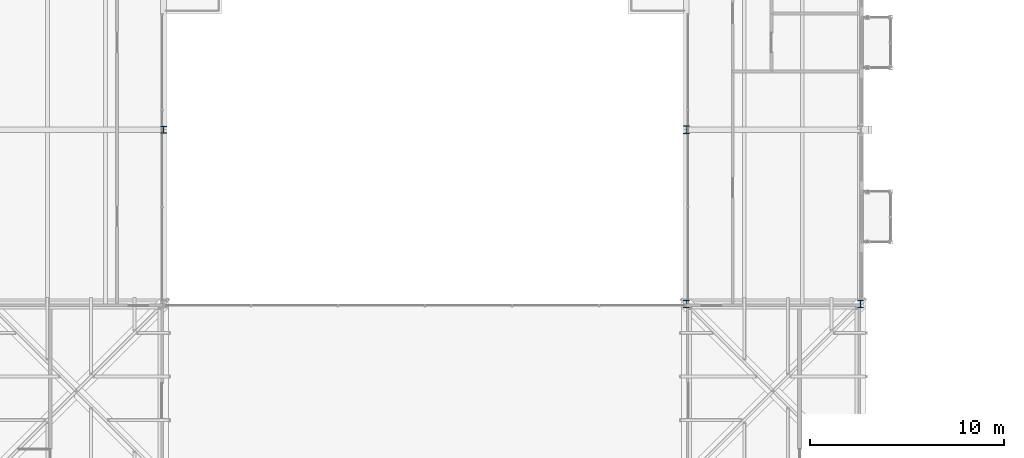
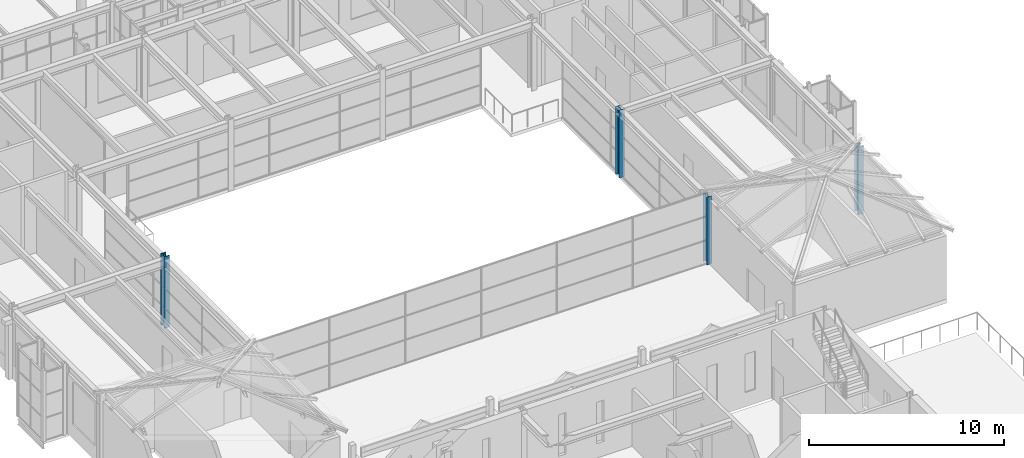
# One storey, part 4 of 149: 4 columns.
"""IFC4 building model written with IfcOpenShell, lengths in metres."""

import ifcopenshell
import ifcopenshell.guid

model = None  # the IFC model being written
_history = None  # IfcOwnerHistory: only IFC2X3 demands one
_inside = {}  # id of a spatial element -> (the spatial element, [elements in it])
_under = {}  # id of a project, library or spatial element -> (it, [spatial elements below it])
_declared = {}  # id of a project -> (the project, [libraries it declares])
_typed = {}  # id of a type object -> (the type object, [elements of that type])
_made_of = {}  # id of a material, layer set ... -> (it, [elements and type objects made of it])


def new_model(schema):
    """Start an empty IFC model of exactly this schema.

    Asked for "IFC4X3", IfcOpenShell would pick the latest addendum, in which some entities
    have other attributes; the version numbers below select the first issue.
    IFC2X3 requires an IfcOwnerHistory on every rooted entity: one is made here for all.
    """
    global model, _history
    if schema == "IFC4X3":
        model = ifcopenshell.file(schema_version=(4, 3, 0, 0))
    else:
        model = ifcopenshell.file(schema=schema)
    _inside.clear()
    _under.clear()
    _declared.clear()
    _typed.clear()
    _made_of.clear()
    _history = None
    if model.schema == "IFC2X3":
        org = make("IfcOrganization", Name="unknown")
        user = make(
            "IfcPersonAndOrganization",
            ThePerson=make("IfcPerson", FamilyName="unknown"),
            TheOrganization=org,
        )
        app = make(
            "IfcApplication",
            ApplicationDeveloper=org,
            Version="unknown",
            ApplicationFullName="unknown",
            ApplicationIdentifier="unknown",
        )
        _history = make(
            "IfcOwnerHistory",
            OwningUser=user,
            OwningApplication=app,
            ChangeAction="ADDED",
            CreationDate=0,
        )
    return model


def make(cls, **values):
    """One entity of the class cls with the attributes given. An attribute that is None is left unset."""
    return model.create_entity(
        cls, **{name: value for name, value in values.items() if value is not None}
    )


def rooted(cls, **values):
    """An entity with a GlobalId (a new one), such as an element, a storey or a relation."""
    return make(cls, GlobalId=ifcopenshell.guid.new(), OwnerHistory=_history, **values)


def si_unit(unit_type, name, prefix=None):
    """IfcSIUnit, for example si_unit("LENGTHUNIT", "METRE", prefix="MILLI")."""
    return make("IfcSIUnit", UnitType=unit_type, Prefix=prefix, Name=name)


def assignment(units):
    """IfcUnitAssignment: the units of a project."""
    return None if units is None else make("IfcUnitAssignment", Units=units)


def point(xyz):
    """IfcCartesianPoint."""
    return None if xyz is None else make("IfcCartesianPoint", Coordinates=xyz)


def direction(xyz):
    """IfcDirection."""
    return None if xyz is None else make("IfcDirection", DirectionRatios=xyz)


def frame(location, z_axis=None, x_axis=None):
    """IfcAxis2Placement3D, a coordinate frame: its origin and axes. An axis left out is left unset."""
    return make(
        "IfcAxis2Placement3D",
        Location=point(location),
        Axis=direction(z_axis),
        RefDirection=direction(x_axis),
    )


def frame_2d(location, x_axis=None):
    """IfcAxis2Placement2D, a coordinate frame in the plane: its origin and x axis."""
    return make(
        "IfcAxis2Placement2D", Location=point(location), RefDirection=direction(x_axis)
    )


def origin():
    """The frame at (0, 0, 0) with its axes left unset."""
    return frame((0.0, 0.0, 0.0))


def origin_2d():
    """The frame at (0, 0) in the plane with its x axis left unset."""
    return frame_2d((0.0, 0.0))


def place(relative_to, where):
    """IfcLocalPlacement: puts the frame where relative to a parent placement (None: the world)."""
    return make(
        "IfcLocalPlacement", PlacementRelTo=relative_to, RelativePlacement=where
    )


def context(
    kind, dimensions, precision=None, world=None, true_north=None, identifier=None
):
    """IfcGeometricRepresentationContext, for example the 3D "Model" context."""
    return make(
        "IfcGeometricRepresentationContext",
        ContextIdentifier=identifier,
        ContextType=kind,
        CoordinateSpaceDimension=dimensions,
        Precision=precision,
        WorldCoordinateSystem=world,
        TrueNorth=true_north,
    )


def subcontext(parent, identifier, kind, view, scale=None):
    """IfcGeometricRepresentationSubContext, for example "Body" below "Model"."""
    return make(
        "IfcGeometricRepresentationSubContext",
        ContextIdentifier=identifier,
        ContextType=kind,
        ParentContext=parent,
        TargetScale=scale,
        TargetView=view,
    )


def project(units=None, contexts=None):
    """IfcProject with its units and contexts."""
    return rooted(
        "IfcProject",
        Name="project",
        RepresentationContexts=contexts,
        UnitsInContext=assignment(units),
    )


def spatial(cls, under=None, at=None, **own):
    """A site, building, storey or space (cls), placed at a placement, below another one or the project."""
    s = rooted(cls, ObjectPlacement=at, **own)
    if under is not None:
        _under.setdefault(under.id(), (under, []))[1].append(s)
    return s


def profile(cls, at=None, kind="AREA", **sizes):
    """A parametric profile (cls). Its sizes go by their IFC names, for example OverallWidth=200.0."""
    return make(cls, ProfileType=kind, Position=at, **sizes)


def i_section(**sizes):
    """IfcIShapeProfileDef."""
    return profile("IfcIShapeProfileDef", **sizes)


def extrude(swept, where, along, depth):
    """IfcExtrudedAreaSolid: the profile swept, set in the frame where, extruded along a direction by depth."""
    return make(
        "IfcExtrudedAreaSolid",
        SweptArea=swept,
        Position=where,
        ExtrudedDirection=direction(along),
        Depth=depth,
    )


def shape(context_of_items, identifier, shape_type, items):
    """IfcShapeRepresentation: the items that make up one representation, for example the "Body"."""
    return make(
        "IfcShapeRepresentation",
        ContextOfItems=context_of_items,
        RepresentationIdentifier=identifier,
        RepresentationType=shape_type,
        Items=items,
    )


def material(Name=None, Category=None):
    """IfcMaterial."""
    return make("IfcMaterial", Name=Name, Category=Category)


def material_profile(
    of_material, cross_section, Name=None, Category=None, Priority=None
):
    """IfcMaterialProfile: a cross section and its material."""
    return make(
        "IfcMaterialProfile",
        Name=Name,
        Material=of_material,
        Profile=cross_section,
        Priority=Priority,
        Category=Category,
    )


def profile_set(profiles, Name=None, composite=None):
    """IfcMaterialProfileSet."""
    return make(
        "IfcMaterialProfileSet",
        Name=Name,
        MaterialProfiles=profiles,
        CompositeProfile=composite,
    )


def made_of(thing, what):
    """Note that an element or type object is made of a material, layer set ...; save() writes the relation."""
    if what is not None:
        _made_of.setdefault(what.id(), (what, []))[1].append(thing)
    return thing


def type_object(cls, material=None, **own):
    """A type object (cls), such as IfcWallType, which elements share."""
    return made_of(rooted(cls, **own), material)


def element(
    cls,
    number,
    at=None,
    inside=None,
    cuts=None,
    type_object=None,
    material=None,
    context=None,
    identifier="Body",
    shape_type=None,
    held_by="IfcProductDefinitionShape",
    body=None,
    shapes=None,
    **own,
):
    """One element of the class cls, such as IfcWall. Its Tag is "e" and its number.

    at: its placement. inside: the storey or other place that contains it. cuts: it is an
    opening in that element (IfcRelVoidsElement). A single representation is given by context,
    identifier, shape_type and body (its items); several are given by shapes. held_by: the class
    of the entity that holds the representations. save() writes the other relations.
    """
    e = rooted(cls, Tag="e%d" % number, ObjectPlacement=at, **own)
    if body is not None:
        shapes = [shape(context, identifier, shape_type, body)]
    if shapes is not None:
        e.Representation = make(held_by, Representations=shapes)
    if inside is not None:
        _inside.setdefault(inside.id(), (inside, []))[1].append(e)
    if cuts is not None:
        rooted(
            "IfcRelVoidsElement", RelatingBuildingElement=cuts, RelatedOpeningElement=e
        )
    if type_object is not None:
        _typed.setdefault(type_object.id(), (type_object, []))[1].append(e)
    return made_of(e, material)


def aggregate(whole, parts):
    """IfcRelAggregates: a whole, such as a stair, and the parts it consists of."""
    return rooted("IfcRelAggregates", RelatingObject=whole, RelatedObjects=parts)


def save(model, path):
    """Write the relations noted so far, then the file.

    IfcRelAggregates (storeys below a building ...), IfcRelContainedInSpatialStructure (elements
    in a storey), IfcRelDefinesByType, IfcRelAssociatesMaterial and IfcRelDeclares: one each for
    every whole, place, type object, material and project.
    """
    for whole, parts in _under.values():
        aggregate(whole, parts)
    for where, things in _inside.values():
        rooted(
            "IfcRelContainedInSpatialStructure",
            RelatedElements=things,
            RelatingStructure=where,
        )
    for kind, things in _typed.values():
        rooted("IfcRelDefinesByType", RelatedObjects=things, RelatingType=kind)
    for what, things in _made_of.values():
        rooted("IfcRelAssociatesMaterial", RelatedObjects=things, RelatingMaterial=what)
    for by, libraries in _declared.values():
        rooted("IfcRelDeclares", RelatingContext=by, RelatedDefinitions=libraries)
    model.write(path)


model = new_model("IFC4")

# Units and contexts
model_context = context("Model", 3, precision=1e-05, world=origin(), true_north=direction((0.0, 1.0)))
body_context = subcontext(model_context, "Body", "Model", "MODEL_VIEW")
ifc_project = project(units=[si_unit("LENGTHUNIT", "METRE"), si_unit("AREAUNIT", "SQUARE_METRE"), si_unit("VOLUMEUNIT", "CUBIC_METRE"), si_unit("PLANEANGLEUNIT", "RADIAN"), si_unit("MASSUNIT", "GRAM", prefix="KILO")], contexts=[model_context])

# Site, building, storey
site_placement = place(None, origin())
site = spatial("IfcSite", under=ifc_project, at=site_placement, CompositionType="ELEMENT")
building_placement = place(site_placement, origin())
building = spatial("IfcBuilding", under=site, at=building_placement, Name="Kallimachos Central Library", CompositionType="ELEMENT")
storey_placement = place(building_placement, frame((0.0, 0.0, 9.89990234375)))
storey = spatial("IfcBuildingStorey", under=building, at=storey_placement, Name="L02", CompositionType="ELEMENT", Elevation=9.89990234375)

# Columns
ifc_material_1 = material(Name="Steel S355J2", Category="steel")
ifc_material_profile_1 = material_profile(ifc_material_1, i_section(OverallWidth=0.300048828125, OverallDepth=0.39990234375, WebThickness=0.013427734375, FlangeThickness=0.02392578125, FilletRadius=0.027099609375, at=origin_2d()), Name="HEB 400")
ifc_profile_set_1 = profile_set([ifc_material_profile_1], Name="Steel S355J2")
column_type_1 = type_object("IfcColumnType", Name="HEB 400 column", PredefinedType="COLUMN", material=ifc_profile_set_1)
for number, where, z_axis, x_axis, name in (
    (1, (101.5, 57.0, 0.0), (0.0, 0.0, 1.0), (1.0, 0.0, 0.0), "V4-COL-L02-001"),
    (2, (110.5, 57.0, 0.0), (0.0, 0.0, 1.0), (1.0, 0.0, 0.0), "V4-COL-L02-002"),
    (3, (101.5, 66.0, 0.0), (0.0, 0.0, 1.0), (1.0, 0.0, 0.0), "V4-COL-L02-005"),
):
    element("IfcColumn", number, at=place(storey_placement, frame(where, z_axis=z_axis, x_axis=x_axis)), inside=storey, type_object=column_type_1, Name=name, PredefinedType="COLUMN", context=body_context, shape_type="SweptSolid", body=[
        extrude(i_section(OverallWidth=0.300048828125, OverallDepth=0.39990234375, WebThickness=0.013427734375, FlangeThickness=0.02392578125, FilletRadius=0.027099609375, at=origin_2d()), origin(), (0.0, 0.0, 1.0), 4.25),
    ])
ifc_material_2 = material(Name="Steel S355J2", Category="steel")
ifc_material_profile_2 = material_profile(ifc_material_2, i_section(OverallWidth=0.30908203125, OverallDepth=0.376953125, WebThickness=0.02099609375, FlangeThickness=0.0400390625, FilletRadius=0.027099609375, at=origin_2d()), Name="HEM 340")
ifc_profile_set_2 = profile_set([ifc_material_profile_2], Name="Steel S355J2")
column_type_2 = type_object("IfcColumnType", Name="HEM 340 column", PredefinedType="COLUMN", material=ifc_profile_set_2)
column_placement = place(storey_placement, frame((74.5, 66.0, 0.0), z_axis=(0.0, 0.0, 1.0), x_axis=(1.0, 0.0, 0.0)))
element("IfcColumn", 4, at=column_placement, inside=storey, type_object=column_type_2, Name="V4-COL-L02-008", PredefinedType="COLUMN", context=body_context, shape_type="SweptSolid", body=[
    extrude(i_section(OverallWidth=0.30908203125, OverallDepth=0.376953125, WebThickness=0.02099609375, FlangeThickness=0.0400390625, FilletRadius=0.027099609375, at=origin_2d()), origin(), (0.0, 0.0, 1.0), 4.5),
])

save(model, "model.ifc")
